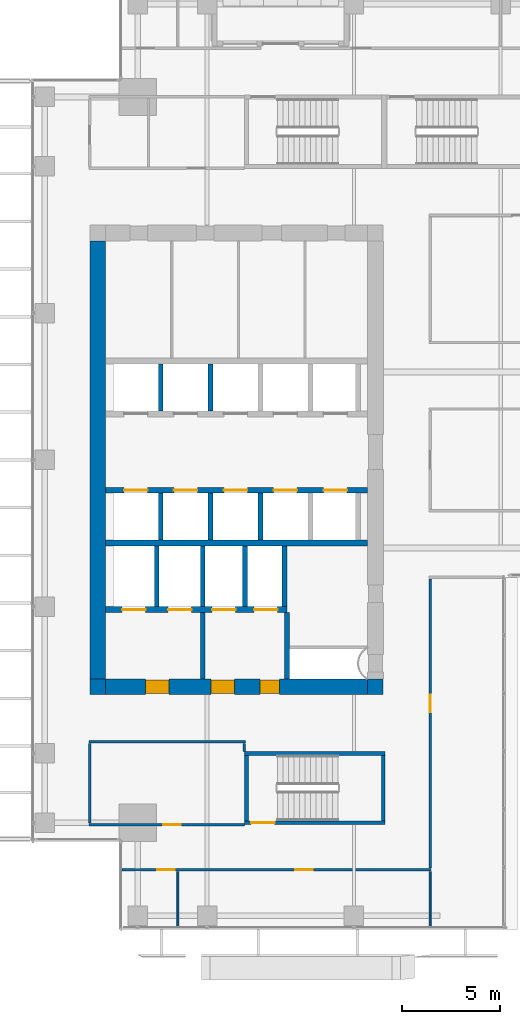
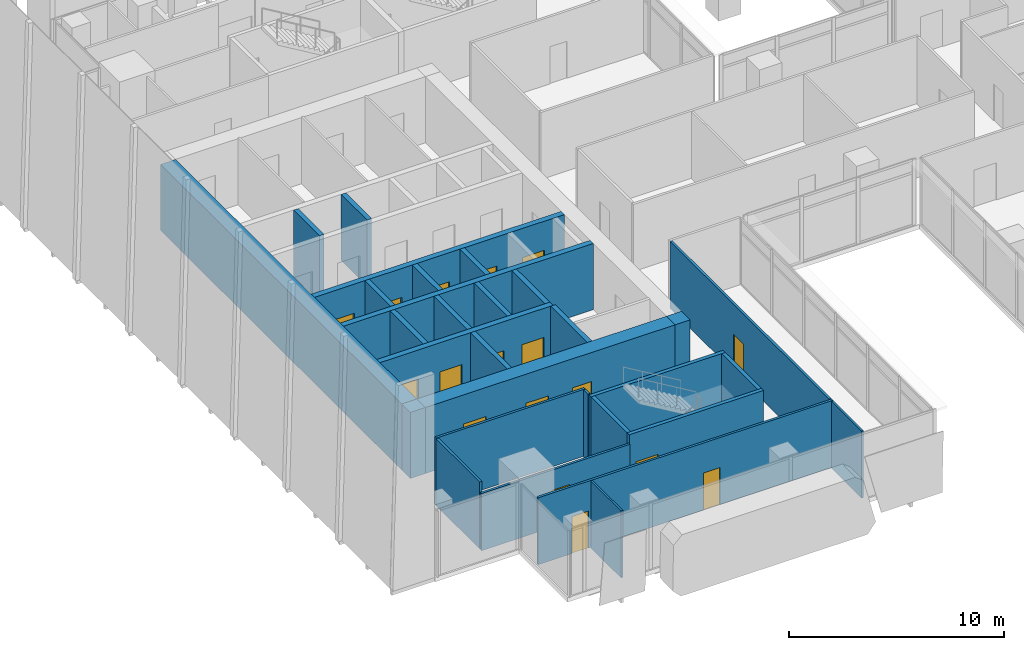
# One storey, part 33 of 40: 30 walls, 17 doors, 17 openings.
"""IFC4 building model written with IfcOpenShell, lengths in metres."""

from ifc_helpers import new_model, si_unit, direction, frame, frame_2d, origin, place, context, subcontext, project, spatial, rectangle, extrude, source, transform, mapped, material, layer, layer_set, type_object, element, fill, save


model = new_model("IFC4")

# Units and contexts
model_context = context("Model", 3, precision=1e-05, world=origin(), true_north=direction((0.0, 1.0)))
body_context = subcontext(model_context, "Body", "Model", "MODEL_VIEW")
ifc_project = project(units=[si_unit("LENGTHUNIT", "METRE"), si_unit("AREAUNIT", "SQUARE_METRE"), si_unit("VOLUMEUNIT", "CUBIC_METRE"), si_unit("PLANEANGLEUNIT", "RADIAN"), si_unit("MASSUNIT", "GRAM", prefix="KILO")], contexts=[model_context])

# Site, building, storey
site_placement = place(None, origin())
site = spatial("IfcSite", under=ifc_project, at=site_placement, CompositionType="ELEMENT")
building_placement = place(site_placement, origin())
building = spatial("IfcBuilding", under=site, at=building_placement, Name="Khomas Fold Tower", CompositionType="ELEMENT")
storey_placement = place(building_placement, frame((0.0, 0.0, 176.699951171875)))
storey = spatial("IfcBuildingStorey", under=building, at=storey_placement, Name="L38", CompositionType="ELEMENT", Elevation=176.699951171875)

# Wall, openings, doors
ifc_material_1 = material(Name="Concrete C60/75", Category="concrete")
ifc_layer_1 = layer(ifc_material_1, 0.800048828125)
ifc_layer_set_1 = layer_set([ifc_layer_1], Name="Concrete C60/75")
wall_type_1 = type_object("IfcWallType", Name="Core wall 800", PredefinedType="SHEAR", material=ifc_layer_set_1)
shared_shape_1 = source(origin(), body_context, "Body", "SweptSolid", [
    extrude(rectangle(XDim=13.39990234375, YDim=0.800048828125, at=frame_2d((6.699951171875, 0.0))), origin(), (0.0, 0.0, 1.0), 3.75),
])
wall_1_placement = place(storey_placement, frame((6.800048828125, 15.39990234375, 0.0), z_axis=(0.0, 0.0, 1.0), x_axis=(1.0, 0.0, 0.0)))
wall_1 = element("IfcWall", 1, at=wall_1_placement, inside=storey, type_object=wall_type_1, Name="Core wall CW-U-S-L35", PredefinedType="SHEAR", context=body_context, shape_type="MappedRepresentation", body=[
    mapped(shared_shape_1, transform((0.0, 0.0, 0.0))),
])
shared_shape_2 = source(origin(), body_context, "Body", "SweptSolid", [
    extrude(rectangle(XDim=1.199951171875, YDim=2.10009765625, at=frame_2d((0.60009765625, 1.050048828125))), frame((0.0, 0.409912109375, 0.0), z_axis=(0.0, -1.0, 0.0), x_axis=(1.0, 0.0, 0.0)), (0.0, 0.0, 1.0), 0.820068359375),
])
opening_1_placement = place(wall_1_placement, frame((5.39990234375, 0.0, 0.0)))
opening_1 = element("IfcOpeningElement", 2, at=opening_1_placement, cuts=wall_1, Name="Opening 0009", PredefinedType="OPENING", context=body_context, shape_type="MappedRepresentation", body=[
    mapped(shared_shape_2, transform((0.0, 0.0, 0.0))),
])
opening_2_placement = place(wall_1_placement, frame((2.050048828125, 0.0, 0.0)))
opening_2 = element("IfcOpeningElement", 3, at=opening_2_placement, cuts=wall_1, Name="Opening 0009", PredefinedType="OPENING", context=body_context, shape_type="MappedRepresentation", body=[
    mapped(shared_shape_2, transform((0.0, 0.0, 0.0))),
])
shared_shape_3 = source(origin(), body_context, "Body", "SweptSolid", [
    extrude(rectangle(XDim=1.0, YDim=2.10009765625, at=frame_2d((0.5, 1.050048828125))), frame((0.0, 0.409912109375, 0.0), z_axis=(0.0, -1.0, 0.0), x_axis=(1.0, 0.0, 0.0)), (0.0, 0.0, 1.0), 0.820068359375),
])
opening_3_placement = place(wall_1_placement, frame((7.89990234375, 0.0, 0.0)))
opening_3 = element("IfcOpeningElement", 4, at=opening_3_placement, cuts=wall_1, Name="Opening 0010", PredefinedType="OPENING", context=body_context, shape_type="MappedRepresentation", body=[
    mapped(shared_shape_3, transform((0.0, 0.0, 0.0))),
])
ifc_material_2 = material(Name="Steel door leaf", Category="steel")
door_type_1 = type_object("IfcDoorType", Name="Lobby door 1200x2100 right-hand", OperationType="SINGLE_SWING_RIGHT", PredefinedType="DOOR", material=ifc_material_2)
shared_shape_4 = source(origin(), body_context, "Body", "SweptSolid", [
    extrude(rectangle(XDim=1.199951171875, YDim=2.10009765625, at=frame_2d((0.60009765625, 1.050048828125))), frame((0.0, 0.35009765625, 0.0), z_axis=(0.0, -1.0, 0.0), x_axis=(1.0, 0.0, 0.0)), (0.0, 0.0, 1.0), 0.699951171875),
])
door_1_placement = place(opening_1_placement, origin())
door_1 = element("IfcDoor", 5, at=door_1_placement, inside=storey, type_object=door_type_1, Name="Lobby door", OperationType="SINGLE_SWING_RIGHT", OverallHeight=2.10009765625, OverallWidth=1.199951171875, PredefinedType="DOOR", context=body_context, shape_type="MappedRepresentation", body=[
    mapped(shared_shape_4, transform((0.0, 0.0, 0.0))),
])
fill(opening_1, door_1)
door_2_placement = place(opening_2_placement, origin())
door_2 = element("IfcDoor", 6, at=door_2_placement, inside=storey, type_object=door_type_1, Name="Lobby door", OperationType="SINGLE_SWING_RIGHT", OverallHeight=2.10009765625, OverallWidth=1.199951171875, PredefinedType="DOOR", context=body_context, shape_type="MappedRepresentation", body=[
    mapped(shared_shape_4, transform((0.0, 0.0, 0.0))),
])
fill(opening_2, door_2)
ifc_material_3 = material(Name="Steel door leaf", Category="steel")
door_type_2 = type_object("IfcDoorType", Name="Stair door 1000x2100 right-hand", OperationType="SINGLE_SWING_RIGHT", PredefinedType="DOOR", material=ifc_material_3)
shared_shape_5 = source(origin(), body_context, "Body", "SweptSolid", [
    extrude(rectangle(XDim=1.0, YDim=2.10009765625, at=frame_2d((0.5, 1.050048828125))), frame((0.0, 0.35009765625, 0.0), z_axis=(0.0, -1.0, 0.0), x_axis=(1.0, 0.0, 0.0)), (0.0, 0.0, 1.0), 0.699951171875),
])
door_3_placement = place(opening_3_placement, origin())
door_3 = element("IfcDoor", 7, at=door_3_placement, inside=storey, type_object=door_type_2, Name="Stair door", OperationType="SINGLE_SWING_RIGHT", OverallHeight=2.10009765625, OverallWidth=1.0, PredefinedType="DOOR", context=body_context, shape_type="MappedRepresentation", body=[
    mapped(shared_shape_5, transform((0.0, 0.0, 0.0))),
])
fill(opening_3, door_3)

# Walls
ifc_material_4 = material(Name="Concrete C60/75", Category="concrete")
ifc_layer_2 = layer(ifc_material_4, 0.800048828125)
ifc_layer_set_2 = layer_set([ifc_layer_2], Name="Concrete C60/75")
wall_type_2 = type_object("IfcWallType", Name="Core corner wall 800", PredefinedType="SHEAR", material=ifc_layer_set_2)
shared_shape_6 = source(origin(), body_context, "Body", "SweptSolid", [
    extrude(rectangle(XDim=0.800048828125, YDim=0.800048828125, at=frame_2d((0.39990234375, 0.0))), origin(), (0.0, 0.0, 1.0), 3.75),
])
for number, where, z_axis, x_axis, name in (
    (8, (20.199951171875, 15.39990234375, 0.0), (0.0, 0.0, 1.0), (1.0, 0.0, 0.0), "Core wall CW-U-SE-L35"),
    (9, (6.0, 15.39990234375, 0.0), (0.0, 0.0, 1.0), (1.0, 0.0, 0.0), "Core wall CW-U-SW-L35"),
):
    element("IfcWall", number, at=place(storey_placement, frame(where, z_axis=z_axis, x_axis=x_axis)), inside=storey, type_object=wall_type_2, Name=name, PredefinedType="SHEAR", context=body_context, shape_type="MappedRepresentation", body=[
        mapped(shared_shape_6, transform((0.0, 0.0, 0.0))),
    ])
shared_shape_7 = source(origin(), body_context, "Body", "SweptSolid", [
    extrude(rectangle(XDim=22.39990234375, YDim=0.800048828125, at=frame_2d((11.199951171875, 0.0))), origin(), (0.0, 0.0, 1.0), 3.75),
])
wall_2_placement = place(storey_placement, frame((6.39990234375, 15.800048828125, 0.0), z_axis=(0.0, 0.0, 1.0), x_axis=(0.0, 1.0, 0.0)))
element("IfcWall", 10, at=wall_2_placement, inside=storey, type_object=wall_type_1, Name="Core wall CW-U-W-L35", PredefinedType="SHEAR", context=body_context, shape_type="MappedRepresentation", body=[
    mapped(shared_shape_7, transform((0.0, 0.0, 0.0))),
])
ifc_material_5 = material(Name="Concrete C50/60", Category="concrete")
ifc_layer_3 = layer(ifc_material_5, 0.199951171875)
ifc_layer_set_3 = layer_set([ifc_layer_3], Name="Concrete C50/60")
wall_type_3 = type_object("IfcWallType", Name="Stair wall 200", PredefinedType="SHEAR", material=ifc_layer_set_3)
shared_shape_8 = source(origin(), body_context, "Body", "SweptSolid", [
    extrude(rectangle(XDim=7.2001953125, YDim=0.199951171875, at=frame_2d((3.60009765625, 0.0))), origin(), (0.0, 0.0, 1.0), 3.75),
])
wall_3_placement = place(storey_placement, frame((13.89990234375, 12.0, 0.0), z_axis=(0.0, 0.0, 1.0), x_axis=(1.0, 0.0, 0.0)))
element("IfcWall", 11, at=wall_3_placement, inside=storey, type_object=wall_type_3, Name="Stair wall SW-ST2-NH", PredefinedType="SHEAR", context=body_context, shape_type="MappedRepresentation", body=[
    mapped(shared_shape_8, transform((0.0, 0.0, 0.0))),
])

# Wall, opening, door
wall_4_placement = place(storey_placement, frame((13.89990234375, 8.449951171875, 0.0), z_axis=(0.0, 0.0, 1.0), x_axis=(1.0, 0.0, 0.0)))
wall_4 = element("IfcWall", 12, at=wall_4_placement, inside=storey, type_object=wall_type_3, Name="Stair wall SW-ST2-S", PredefinedType="SHEAR", context=body_context, shape_type="MappedRepresentation", body=[
    mapped(shared_shape_8, transform((0.0, 0.0, 0.0))),
])
shared_shape_9 = source(origin(), body_context, "Body", "SweptSolid", [
    extrude(rectangle(XDim=1.199951171875, YDim=2.10009765625, at=frame_2d((0.60009765625, 1.050048828125))), frame((0.0, 0.10986328125, 0.0), z_axis=(0.0, -1.0, 0.0), x_axis=(1.0, 0.0, 0.0)), (0.0, 0.0, 1.0), 0.219970703125),
])
opening_4_placement = place(wall_4_placement, frame((0.35009765625, 0.0, 0.0)))
opening_4 = element("IfcOpeningElement", 13, at=opening_4_placement, cuts=wall_4, Name="Opening SD-ST2", PredefinedType="OPENING", context=body_context, shape_type="MappedRepresentation", body=[
    mapped(shared_shape_9, transform((0.0, 0.0, 0.0))),
])
ifc_material_6 = material(Name="Steel door leaf", Category="steel")
door_type_3 = type_object("IfcDoorType", Name="Stair door 1200x2100 right-hand", OperationType="SINGLE_SWING_RIGHT", PredefinedType="DOOR", material=ifc_material_6)
shared_shape_10 = source(origin(), body_context, "Body", "SweptSolid", [
    extrude(rectangle(XDim=1.199951171875, YDim=2.10009765625, at=frame_2d((0.60009765625, 1.050048828125))), frame((0.0, 0.02490234375, 0.0), z_axis=(0.0, -1.0, 0.0), x_axis=(1.0, 0.0, 0.0)), (0.0, 0.0, 1.0), 0.050048828125),
])
door_4_placement = place(opening_4_placement, origin())
door_4 = element("IfcDoor", 14, at=door_4_placement, inside=storey, type_object=door_type_3, Name="Stair door", OperationType="SINGLE_SWING_RIGHT", OverallHeight=2.10009765625, OverallWidth=1.199951171875, PredefinedType="DOOR", context=body_context, shape_type="MappedRepresentation", body=[
    mapped(shared_shape_10, transform((0.0, 0.0, 0.0))),
])
fill(opening_4, door_4)

# Walls
shared_shape_11 = source(origin(), body_context, "Body", "SweptSolid", [
    extrude(rectangle(XDim=3.349853515625, YDim=0.199951171875, at=frame_2d((1.6748046875, 0.0))), origin(), (0.0, 0.0, 1.0), 3.75),
])
for number, where, z_axis, x_axis, name in (
    (15, (21.0, 8.550048828125, 0.0), (0.0, 0.0, 1.0), (0.0, 1.0, 0.0), "Stair wall SW-ST2-E"),
    (16, (14.0, 8.550048828125, 0.0), (0.0, 0.0, 1.0), (0.0, 1.0, 0.0), "Stair wall SW-ST2-W"),
):
    element("IfcWall", number, at=place(storey_placement, frame(where, z_axis=z_axis, x_axis=x_axis)), inside=storey, type_object=wall_type_3, Name=name, PredefinedType="SHEAR", context=body_context, shape_type="MappedRepresentation", body=[
        mapped(shared_shape_11, transform((0.0, 0.0, 0.0))),
    ])
ifc_material_7 = material(Name="Concrete C50/60", Category="concrete")
ifc_layer_4 = layer(ifc_material_7, 0.300048828125)
ifc_layer_set_4 = layer_set([ifc_layer_4], Name="Concrete C50/60")
wall_type_4 = type_object("IfcWallType", Name="Shaft wall 300", PredefinedType="STANDARD", material=ifc_layer_set_4)
shared_shape_12 = source(origin(), body_context, "Body", "SweptSolid", [
    extrude(rectangle(XDim=13.39990234375, YDim=0.300048828125, at=frame_2d((6.699951171875, 0.0))), origin(), (0.0, 0.0, 1.0), 3.75),
])
wall_5_placement = place(storey_placement, frame((6.800048828125, 22.75, 0.0), z_axis=(0.0, 0.0, 1.0), x_axis=(1.0, 0.0, 0.0)))
element("IfcWall", 17, at=wall_5_placement, inside=storey, type_object=wall_type_4, Name="Core wall SW-FS-B", PredefinedType="STANDARD", context=body_context, shape_type="MappedRepresentation", body=[
    mapped(shared_shape_12, transform((0.0, 0.0, 0.0))),
])

# Wall, openings, doors
wall_6_placement = place(storey_placement, frame((6.800048828125, 25.449951171875, 0.0), z_axis=(0.0, 0.0, 1.0), x_axis=(1.0, 0.0, 0.0)))
wall_6 = element("IfcWall", 18, at=wall_6_placement, inside=storey, type_object=wall_type_4, Name="Core wall SW-HRS-F", PredefinedType="STANDARD", context=body_context, shape_type="MappedRepresentation", body=[
    mapped(shared_shape_12, transform((0.0, 0.0, 0.0))),
])
shared_shape_13 = source(origin(), body_context, "Body", "SweptSolid", [
    extrude(rectangle(XDim=1.199951171875, YDim=2.10009765625, at=frame_2d((0.60009765625, 1.050048828125))), frame((0.0, 0.159912109375, 0.0), z_axis=(0.0, -1.0, 0.0), x_axis=(1.0, 0.0, 0.0)), (0.0, 0.0, 1.0), 0.320068359375),
])
opening_5_placement = place(wall_6_placement, frame((0.949951171875, 0.0, 0.0)))
opening_5 = element("IfcOpeningElement", 19, at=opening_5_placement, cuts=wall_6, Name="Opening LD-HR1", PredefinedType="OPENING", context=body_context, shape_type="MappedRepresentation", body=[
    mapped(shared_shape_13, transform((0.0, 0.0, 0.0))),
])
opening_6_placement = place(wall_6_placement, frame((3.5, 0.0, 0.0)))
opening_6 = element("IfcOpeningElement", 20, at=opening_6_placement, cuts=wall_6, Name="Opening LD-HR2", PredefinedType="OPENING", context=body_context, shape_type="MappedRepresentation", body=[
    mapped(shared_shape_13, transform((0.0, 0.0, 0.0))),
])
opening_7_placement = place(wall_6_placement, frame((6.050048828125, 0.0, 0.0)))
opening_7 = element("IfcOpeningElement", 21, at=opening_7_placement, cuts=wall_6, Name="Opening LD-HR3", PredefinedType="OPENING", context=body_context, shape_type="MappedRepresentation", body=[
    mapped(shared_shape_13, transform((0.0, 0.0, 0.0))),
])
opening_8_placement = place(wall_6_placement, frame((8.60009765625, 0.0, 0.0)))
opening_8 = element("IfcOpeningElement", 22, at=opening_8_placement, cuts=wall_6, Name="Opening LD-MR1", PredefinedType="OPENING", context=body_context, shape_type="MappedRepresentation", body=[
    mapped(shared_shape_13, transform((0.0, 0.0, 0.0))),
])
opening_9_placement = place(wall_6_placement, frame((11.14990234375, 0.0, 0.0)))
opening_9 = element("IfcOpeningElement", 23, at=opening_9_placement, cuts=wall_6, Name="Opening LD-MR2", PredefinedType="OPENING", context=body_context, shape_type="MappedRepresentation", body=[
    mapped(shared_shape_13, transform((0.0, 0.0, 0.0))),
])
ifc_material_8 = material(Name="Steel door leaf", Category="steel")
door_type_4 = type_object("IfcDoorType", Name="Landing door 1200x2100", OperationType="DOUBLE_DOOR_SLIDING", PredefinedType="DOOR", material=ifc_material_8)
door_5_placement = place(opening_5_placement, origin())
door_5 = element("IfcDoor", 24, at=door_5_placement, inside=storey, type_object=door_type_4, Name="Lift landing door", OperationType="DOUBLE_DOOR_SLIDING", OverallHeight=2.10009765625, OverallWidth=1.199951171875, PredefinedType="DOOR", context=body_context, shape_type="MappedRepresentation", body=[
    mapped(shared_shape_10, transform((0.0, 0.0, 0.0))),
])
fill(opening_5, door_5)
door_6_placement = place(opening_6_placement, origin())
door_6 = element("IfcDoor", 25, at=door_6_placement, inside=storey, type_object=door_type_4, Name="Lift landing door", OperationType="DOUBLE_DOOR_SLIDING", OverallHeight=2.10009765625, OverallWidth=1.199951171875, PredefinedType="DOOR", context=body_context, shape_type="MappedRepresentation", body=[
    mapped(shared_shape_10, transform((0.0, 0.0, 0.0))),
])
fill(opening_6, door_6)
door_7_placement = place(opening_7_placement, origin())
door_7 = element("IfcDoor", 26, at=door_7_placement, inside=storey, type_object=door_type_4, Name="Lift landing door", OperationType="DOUBLE_DOOR_SLIDING", OverallHeight=2.10009765625, OverallWidth=1.199951171875, PredefinedType="DOOR", context=body_context, shape_type="MappedRepresentation", body=[
    mapped(shared_shape_10, transform((0.0, 0.0, 0.0))),
])
fill(opening_7, door_7)
door_8_placement = place(opening_8_placement, origin())
door_8 = element("IfcDoor", 27, at=door_8_placement, inside=storey, type_object=door_type_4, Name="Lift landing door", OperationType="DOUBLE_DOOR_SLIDING", OverallHeight=2.10009765625, OverallWidth=1.199951171875, PredefinedType="DOOR", context=body_context, shape_type="MappedRepresentation", body=[
    mapped(shared_shape_10, transform((0.0, 0.0, 0.0))),
])
fill(opening_8, door_8)
door_9_placement = place(opening_9_placement, origin())
door_9 = element("IfcDoor", 28, at=door_9_placement, inside=storey, type_object=door_type_4, Name="Lift landing door", OperationType="DOUBLE_DOOR_SLIDING", OverallHeight=2.10009765625, OverallWidth=1.199951171875, PredefinedType="DOOR", context=body_context, shape_type="MappedRepresentation", body=[
    mapped(shared_shape_10, transform((0.0, 0.0, 0.0))),
])
fill(opening_9, door_9)

shared_shape_14 = source(origin(), body_context, "Body", "SweptSolid", [
    extrude(rectangle(XDim=9.27490234375, YDim=0.300048828125, at=frame_2d((4.637451171875, 0.0))), origin(), (0.0, 0.0, 1.0), 3.75),
])
wall_7_placement = place(storey_placement, frame((6.800048828125, 19.35009765625, 0.0), z_axis=(0.0, 0.0, 1.0), x_axis=(1.0, 0.0, 0.0)))
wall_7 = element("IfcWall", 29, at=wall_7_placement, inside=storey, type_object=wall_type_4, Name="Core wall SW-FS-F", PredefinedType="STANDARD", context=body_context, shape_type="MappedRepresentation", body=[
    mapped(shared_shape_14, transform((0.0, 0.0, 0.0))),
])
opening_10_placement = place(wall_7_placement, frame((0.85009765625, 0.0, 0.0)))
opening_10 = element("IfcOpeningElement", 30, at=opening_10_placement, cuts=wall_7, Name="Opening LD-SV1", PredefinedType="OPENING", context=body_context, shape_type="MappedRepresentation", body=[
    mapped(shared_shape_13, transform((0.0, 0.0, 0.0))),
])
opening_11_placement = place(wall_7_placement, frame((3.199951171875, 0.0, 0.0)))
opening_11 = element("IfcOpeningElement", 31, at=opening_11_placement, cuts=wall_7, Name="Opening LD-SV2", PredefinedType="OPENING", context=body_context, shape_type="MappedRepresentation", body=[
    mapped(shared_shape_13, transform((0.0, 0.0, 0.0))),
])
opening_12_placement = place(wall_7_placement, frame((5.449951171875, 0.0, 0.0)))
opening_12 = element("IfcOpeningElement", 32, at=opening_12_placement, cuts=wall_7, Name="Opening LD-FF1", PredefinedType="OPENING", context=body_context, shape_type="MappedRepresentation", body=[
    mapped(shared_shape_13, transform((0.0, 0.0, 0.0))),
])
opening_13_placement = place(wall_7_placement, frame((7.60009765625, 0.0, 0.0)))
opening_13 = element("IfcOpeningElement", 33, at=opening_13_placement, cuts=wall_7, Name="Opening LD-FF2", PredefinedType="OPENING", context=body_context, shape_type="MappedRepresentation", body=[
    mapped(shared_shape_13, transform((0.0, 0.0, 0.0))),
])
door_10_placement = place(opening_10_placement, origin())
door_10 = element("IfcDoor", 34, at=door_10_placement, inside=storey, type_object=door_type_4, Name="Lift landing door", OperationType="DOUBLE_DOOR_SLIDING", OverallHeight=2.10009765625, OverallWidth=1.199951171875, PredefinedType="DOOR", context=body_context, shape_type="MappedRepresentation", body=[
    mapped(shared_shape_10, transform((0.0, 0.0, 0.0))),
])
fill(opening_10, door_10)
door_11_placement = place(opening_11_placement, origin())
door_11 = element("IfcDoor", 35, at=door_11_placement, inside=storey, type_object=door_type_4, Name="Lift landing door", OperationType="DOUBLE_DOOR_SLIDING", OverallHeight=2.10009765625, OverallWidth=1.199951171875, PredefinedType="DOOR", context=body_context, shape_type="MappedRepresentation", body=[
    mapped(shared_shape_10, transform((0.0, 0.0, 0.0))),
])
fill(opening_11, door_11)
door_12_placement = place(opening_12_placement, origin())
door_12 = element("IfcDoor", 36, at=door_12_placement, inside=storey, type_object=door_type_4, Name="Lift landing door", OperationType="DOUBLE_DOOR_SLIDING", OverallHeight=2.10009765625, OverallWidth=1.199951171875, PredefinedType="DOOR", context=body_context, shape_type="MappedRepresentation", body=[
    mapped(shared_shape_10, transform((0.0, 0.0, 0.0))),
])
fill(opening_12, door_12)
door_13_placement = place(opening_13_placement, origin())
door_13 = element("IfcDoor", 37, at=door_13_placement, inside=storey, type_object=door_type_4, Name="Lift landing door", OperationType="DOUBLE_DOOR_SLIDING", OverallHeight=2.10009765625, OverallWidth=1.199951171875, PredefinedType="DOOR", context=body_context, shape_type="MappedRepresentation", body=[
    mapped(shared_shape_10, transform((0.0, 0.0, 0.0))),
])
fill(opening_13, door_13)

# Walls
ifc_material_9 = material(Name="Concrete C50/60", Category="concrete")
ifc_layer_5 = layer(ifc_material_9, 0.25)
ifc_layer_set_5 = layer_set([ifc_layer_5], Name="Concrete C50/60")
wall_type_5 = type_object("IfcWallType", Name="Shaft wall 250", PredefinedType="STANDARD", material=ifc_layer_set_5)
shared_shape_15 = source(origin(), body_context, "Body", "SweptSolid", [
    extrude(rectangle(XDim=3.10009765625, YDim=0.25, at=frame_2d((1.550048828125, 0.0))), origin(), (0.0, 0.0, 1.0), 3.75),
])
for number, where, z_axis, x_axis, name in (
    (38, (9.425048828125, 19.5, 0.0), (0.0, 0.0, 1.0), (0.0, 1.0, 0.0), "Core wall SW-FS-P1"),
    (39, (11.77490234375, 19.5, 0.0), (0.0, 0.0, 1.0), (0.0, 1.0, 0.0), "Core wall SW-FS-P2"),
    (40, (13.925048828125, 19.5, 0.0), (0.0, 0.0, 1.0), (0.0, 1.0, 0.0), "Core wall SW-FS-P3"),
    (41, (15.949951171875, 19.5, 0.0), (0.0, 0.0, 1.0), (0.0, 1.0, 0.0), "Core wall SW-FS-PE"),
):
    element("IfcWall", number, at=place(storey_placement, frame(where, z_axis=z_axis, x_axis=x_axis)), inside=storey, type_object=wall_type_5, Name=name, PredefinedType="STANDARD", context=body_context, shape_type="MappedRepresentation", body=[
        mapped(shared_shape_15, transform((0.0, 0.0, 0.0))),
    ])
shared_shape_16 = source(origin(), body_context, "Body", "SweptSolid", [
    extrude(rectangle(XDim=2.39990234375, YDim=0.25, at=frame_2d((1.199951171875, 0.0))), origin(), (0.0, 0.0, 1.0), 3.75),
])
for number, where, z_axis, x_axis, name in (
    (42, (9.625, 29.5, 0.0), (0.0, 0.0, 1.0), (0.0, 1.0, 0.0), "Core wall SW-HRN-P1"),
    (43, (12.175048828125, 29.5, 0.0), (0.0, 0.0, 1.0), (0.0, 1.0, 0.0), "Core wall SW-HRN-P2"),
):
    element("IfcWall", number, at=place(storey_placement, frame(where, z_axis=z_axis, x_axis=x_axis)), inside=storey, type_object=wall_type_5, Name=name, PredefinedType="STANDARD", context=body_context, shape_type="MappedRepresentation", body=[
        mapped(shared_shape_16, transform((0.0, 0.0, 0.0))),
    ])
shared_shape_17 = source(origin(), body_context, "Body", "SweptSolid", [
    extrude(rectangle(XDim=2.400146484375, YDim=0.25, at=frame_2d((1.2001953125, 0.0))), origin(), (0.0, 0.0, 1.0), 3.75),
])
for number, where, z_axis, x_axis, name in (
    (44, (9.625, 22.89990234375, 0.0), (0.0, 0.0, 1.0), (0.0, 1.0, 0.0), "Core wall SW-HRS-P1"),
    (45, (12.175048828125, 22.89990234375, 0.0), (0.0, 0.0, 1.0), (0.0, 1.0, 0.0), "Core wall SW-HRS-P2"),
    (46, (14.72509765625, 22.89990234375, 0.0), (0.0, 0.0, 1.0), (0.0, 1.0, 0.0), "Core wall SW-HRS-PE"),
):
    element("IfcWall", number, at=place(storey_placement, frame(where, z_axis=z_axis, x_axis=x_axis)), inside=storey, type_object=wall_type_5, Name=name, PredefinedType="STANDARD", context=body_context, shape_type="MappedRepresentation", body=[
        mapped(shared_shape_17, transform((0.0, 0.0, 0.0))),
    ])
ifc_material_10 = material(Name="Concrete C50/60", Category="concrete")
ifc_layer_6 = layer(ifc_material_10, 0.25)
ifc_layer_set_6 = layer_set([ifc_layer_6], Name="Concrete C50/60")
wall_type_6 = type_object("IfcWallType", Name="Lobby wall 250", PredefinedType="STANDARD", material=ifc_layer_set_6)
shared_shape_18 = source(origin(), body_context, "Body", "SweptSolid", [
    extrude(rectangle(XDim=3.39990234375, YDim=0.25, at=frame_2d((1.699951171875, 0.0))), origin(), (0.0, 0.0, 1.0), 3.75),
])
for number, where, z_axis, x_axis, name in (
    (47, (16.074951171875, 15.800048828125, 0.0), (0.0, 0.0, 1.0), (0.0, 1.0, 0.0), "Core wall SW-FS-LOB-E"),
    (48, (11.77490234375, 15.800048828125, 0.0), (0.0, 0.0, 1.0), (0.0, 1.0, 0.0), "Core wall SW-FS-SEP"),
):
    element("IfcWall", number, at=place(storey_placement, frame(where, z_axis=z_axis, x_axis=x_axis)), inside=storey, type_object=wall_type_6, Name=name, PredefinedType="STANDARD", context=body_context, shape_type="MappedRepresentation", body=[
        mapped(shared_shape_18, transform((0.0, 0.0, 0.0))),
    ])

# Wall, opening, door
ifc_material_11 = material(Name="Plasterboard partition")
ifc_layer_7 = layer(ifc_material_11, 0.125)
ifc_layer_set_7 = layer_set([ifc_layer_7], Name="Plasterboard partition")
wall_type_7 = type_object("IfcWallType", Name="Partition PW2 125", PredefinedType="PARTITIONING", material=ifc_layer_set_7)
shared_shape_19 = source(origin(), body_context, "Body", "SweptSolid", [
    extrude(rectangle(XDim=7.949951171875, YDim=0.125, at=frame_2d((3.97509765625, 0.0))), origin(), (0.0, 0.0, 1.0), 3.25),
])
wall_8_placement = place(storey_placement, frame((5.949951171875, 8.35009765625, 0.0), z_axis=(0.0, 0.0, 1.0), x_axis=(1.0, 0.0, 0.0)))
wall_8 = element("IfcWall", 49, at=wall_8_placement, inside=storey, type_object=wall_type_7, Name="Partition", PredefinedType="PARTITIONING", context=body_context, shape_type="MappedRepresentation", body=[
    mapped(shared_shape_19, transform((0.0, 0.0, 0.0))),
])
shared_shape_20 = source(origin(), body_context, "Body", "SweptSolid", [
    extrude(rectangle(XDim=0.89990234375, YDim=2.10009765625, at=frame_2d((0.449951171875, 1.050048828125))), frame((0.0, 0.072509765625, 0.0), z_axis=(0.0, -1.0, 0.0), x_axis=(1.0, 0.0, 0.0)), (0.0, 0.0, 1.0), 0.14501953125),
])
opening_14_placement = place(wall_8_placement, frame((3.800048828125, 0.0, 0.0)))
opening_14 = element("IfcOpeningElement", 50, at=opening_14_placement, cuts=wall_8, Name="Opening 0007", PredefinedType="OPENING", context=body_context, shape_type="MappedRepresentation", body=[
    mapped(shared_shape_20, transform((0.0, 0.0, 0.0))),
])
ifc_material_12 = material(Name="Timber door leaf", Category="wood")
door_type_5 = type_object("IfcDoorType", Name="Door 900x2100 left-hand", OperationType="SINGLE_SWING_LEFT", PredefinedType="DOOR", material=ifc_material_12)
shared_shape_21 = source(origin(), body_context, "Body", "SweptSolid", [
    extrude(rectangle(XDim=0.89990234375, YDim=2.10009765625, at=frame_2d((0.449951171875, 1.050048828125))), frame((0.0, 0.02490234375, 0.0), z_axis=(0.0, -1.0, 0.0), x_axis=(1.0, 0.0, 0.0)), (0.0, 0.0, 1.0), 0.050048828125),
])
door_14_placement = place(opening_14_placement, origin())
door_14 = element("IfcDoor", 51, at=door_14_placement, inside=storey, type_object=door_type_5, Name="Door", OperationType="SINGLE_SWING_LEFT", OverallHeight=2.10009765625, OverallWidth=0.89990234375, PredefinedType="DOOR", context=body_context, shape_type="MappedRepresentation", body=[
    mapped(shared_shape_21, transform((0.0, 0.0, 0.0))),
])
fill(opening_14, door_14)

# Walls
shared_shape_22 = source(origin(), body_context, "Body", "SweptSolid", [
    extrude(rectangle(XDim=4.050048828125, YDim=0.125, at=frame_2d((2.02490234375, 0.0))), origin(), (0.0, 0.0, 1.0), 3.800048828125),
])
wall_9_placement = place(storey_placement, frame((6.0, 8.449951171875, 0.0), z_axis=(0.0, 0.0, 1.0), x_axis=(0.0, 1.0, 0.0)))
element("IfcWall", 52, at=wall_9_placement, inside=storey, type_object=wall_type_7, Name="Partition", PredefinedType="PARTITIONING", context=body_context, shape_type="MappedRepresentation", body=[
    mapped(shared_shape_22, transform((0.0, 0.0, 0.0))),
])
shared_shape_23 = source(origin(), body_context, "Body", "SweptSolid", [
    extrude(rectangle(XDim=0.39990234375, YDim=0.125, at=frame_2d((0.199951171875, 0.0))), origin(), (0.0, 0.0, 1.0), 3.800048828125),
])
wall_10_placement = place(storey_placement, frame((13.89990234375, 12.10009765625, 0.0), z_axis=(0.0, 0.0, 1.0), x_axis=(0.0, 1.0, 0.0)))
element("IfcWall", 53, at=wall_10_placement, inside=storey, type_object=wall_type_7, Name="Partition", PredefinedType="PARTITIONING", context=body_context, shape_type="MappedRepresentation", body=[
    mapped(shared_shape_23, transform((0.0, 0.0, 0.0))),
])
shared_shape_24 = source(origin(), body_context, "Body", "SweptSolid", [
    extrude(rectangle(XDim=8.0, YDim=0.125, at=frame_2d((4.0, 0.0))), origin(), (0.0, 0.0, 1.0), 3.800048828125),
])
wall_11_placement = place(storey_placement, frame((5.949951171875, 12.60009765625, 0.0), z_axis=(0.0, 0.0, 1.0), x_axis=(1.0, 0.0, 0.0)))
element("IfcWall", 54, at=wall_11_placement, inside=storey, type_object=wall_type_7, Name="Partition", PredefinedType="PARTITIONING", context=body_context, shape_type="MappedRepresentation", body=[
    mapped(shared_shape_24, transform((0.0, 0.0, 0.0))),
])
ifc_material_13 = material(Name="Plasterboard partition")
ifc_layer_8 = layer(ifc_material_13, 0.10009765625)
ifc_layer_set_8 = layer_set([ifc_layer_8], Name="Plasterboard partition")
wall_type_8 = type_object("IfcWallType", Name="Partition PW1 100", PredefinedType="PARTITIONING", material=ifc_layer_set_8)
shared_shape_25 = source(origin(), body_context, "Body", "SweptSolid", [
    extrude(rectangle(XDim=2.800048828125, YDim=0.10009765625, at=frame_2d((1.39990234375, 0.0))), origin(), (0.0, 0.0, 1.0), 3.800048828125),
])
for number, where, z_axis, x_axis, name in (
    (55, (10.5, 3.14990234375, 0.0), (0.0, 0.0, 1.0), (0.0, 1.0, 0.0), "Partition"),
    (56, (23.39990234375, 3.14990234375, 0.0), (0.0, 0.0, 1.0), (0.0, 1.0, 0.0), "Partition"),
):
    element("IfcWall", number, at=place(storey_placement, frame(where, z_axis=z_axis, x_axis=x_axis)), inside=storey, type_object=wall_type_8, Name=name, PredefinedType="PARTITIONING", context=body_context, shape_type="MappedRepresentation", body=[
        mapped(shared_shape_25, transform((0.0, 0.0, 0.0))),
    ])

# Wall, openings, doors
shared_shape_26 = source(origin(), body_context, "Body", "SweptSolid", [
    extrude(rectangle(XDim=15.800048828125, YDim=0.125, at=frame_2d((7.89990234375, 0.0))), origin(), (0.0, 0.0, 1.0), 3.800048828125),
])
wall_12_placement = place(storey_placement, frame((7.64990234375, 6.050048828125, 0.0), z_axis=(0.0, 0.0, 1.0), x_axis=(1.0, 0.0, 0.0)))
wall_12 = element("IfcWall", 57, at=wall_12_placement, inside=storey, type_object=wall_type_7, Name="Partition", PredefinedType="PARTITIONING", context=body_context, shape_type="MappedRepresentation", body=[
    mapped(shared_shape_26, transform((0.0, 0.0, 0.0))),
])
opening_15_placement = place(wall_12_placement, frame((1.800048828125, 0.0, 0.0)))
opening_15 = element("IfcOpeningElement", 58, at=opening_15_placement, cuts=wall_12, Name="Opening 0008", PredefinedType="OPENING", context=body_context, shape_type="MappedRepresentation", body=[
    mapped(shared_shape_20, transform((0.0, 0.0, 0.0))),
])
opening_16_placement = place(wall_12_placement, frame((8.85009765625, 0.0, 0.0)))
opening_16 = element("IfcOpeningElement", 59, at=opening_16_placement, cuts=wall_12, Name="Opening 0007", PredefinedType="OPENING", context=body_context, shape_type="MappedRepresentation", body=[
    mapped(shared_shape_20, transform((0.0, 0.0, 0.0))),
])
ifc_material_14 = material(Name="Timber door leaf", Category="wood")
door_type_6 = type_object("IfcDoorType", Name="Door 900x2100 right-hand", OperationType="SINGLE_SWING_RIGHT", PredefinedType="DOOR", material=ifc_material_14)
door_15_placement = place(opening_15_placement, origin())
door_15 = element("IfcDoor", 60, at=door_15_placement, inside=storey, type_object=door_type_6, Name="Door", OperationType="SINGLE_SWING_RIGHT", OverallHeight=2.10009765625, OverallWidth=0.89990234375, PredefinedType="DOOR", context=body_context, shape_type="MappedRepresentation", body=[
    mapped(shared_shape_21, transform((0.0, 0.0, 0.0))),
])
fill(opening_15, door_15)
door_16_placement = place(opening_16_placement, origin())
door_16 = element("IfcDoor", 61, at=door_16_placement, inside=storey, type_object=door_type_5, Name="Door", OperationType="SINGLE_SWING_LEFT", OverallHeight=2.10009765625, OverallWidth=0.89990234375, PredefinedType="DOOR", context=body_context, shape_type="MappedRepresentation", body=[
    mapped(shared_shape_21, transform((0.0, 0.0, 0.0))),
])
fill(opening_16, door_16)

# Wall, opening, door
shared_shape_27 = source(origin(), body_context, "Body", "SweptSolid", [
    extrude(rectangle(XDim=14.75, YDim=0.125, at=frame_2d((7.375, 0.0))), origin(), (0.0, 0.0, 1.0), 3.800048828125),
])
wall_13_placement = place(storey_placement, frame((23.39990234375, 6.14990234375, 0.0), z_axis=(0.0, 0.0, 1.0), x_axis=(0.0, 1.0, 0.0)))
wall_13 = element("IfcWall", 62, at=wall_13_placement, inside=storey, type_object=wall_type_7, Name="Partition", PredefinedType="PARTITIONING", context=body_context, shape_type="MappedRepresentation", body=[
    mapped(shared_shape_27, transform((0.0, 0.0, 0.0))),
])
opening_17_placement = place(wall_13_placement, frame((7.949951171875, 0.0, 0.0)))
opening_17 = element("IfcOpeningElement", 63, at=opening_17_placement, cuts=wall_13, Name="Opening 0007", PredefinedType="OPENING", context=body_context, shape_type="MappedRepresentation", body=[
    mapped(shared_shape_20, transform((0.0, 0.0, 0.0))),
])
door_17_placement = place(opening_17_placement, origin())
door_17 = element("IfcDoor", 64, at=door_17_placement, inside=storey, type_object=door_type_5, Name="Door", OperationType="SINGLE_SWING_LEFT", OverallHeight=2.10009765625, OverallWidth=0.89990234375, PredefinedType="DOOR", context=body_context, shape_type="MappedRepresentation", body=[
    mapped(shared_shape_21, transform((0.0, 0.0, 0.0))),
])
fill(opening_17, door_17)

save(model, "model.ifc")
